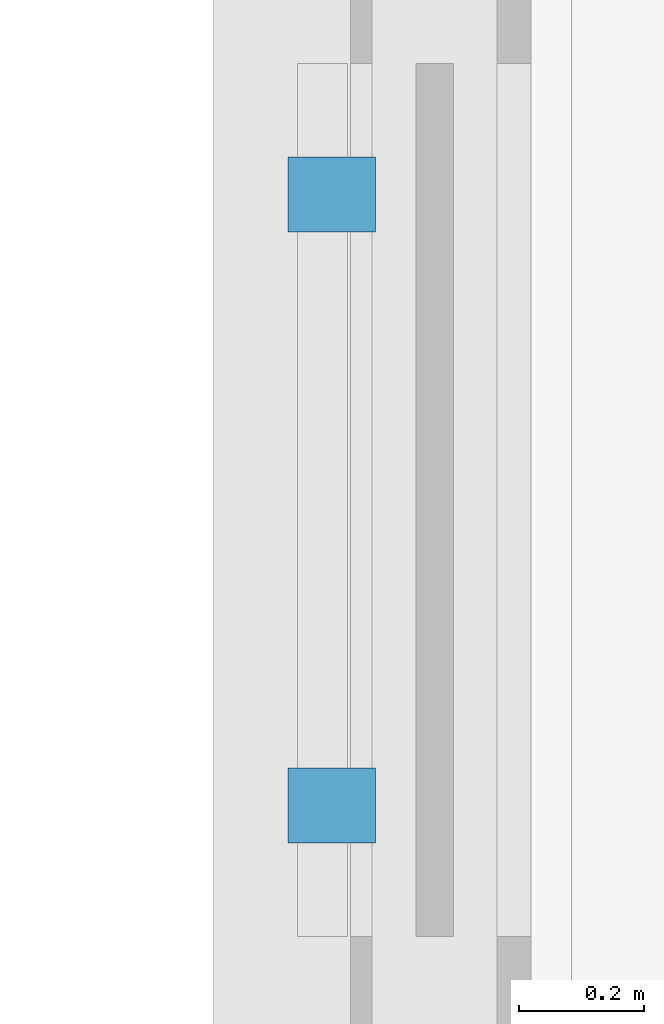
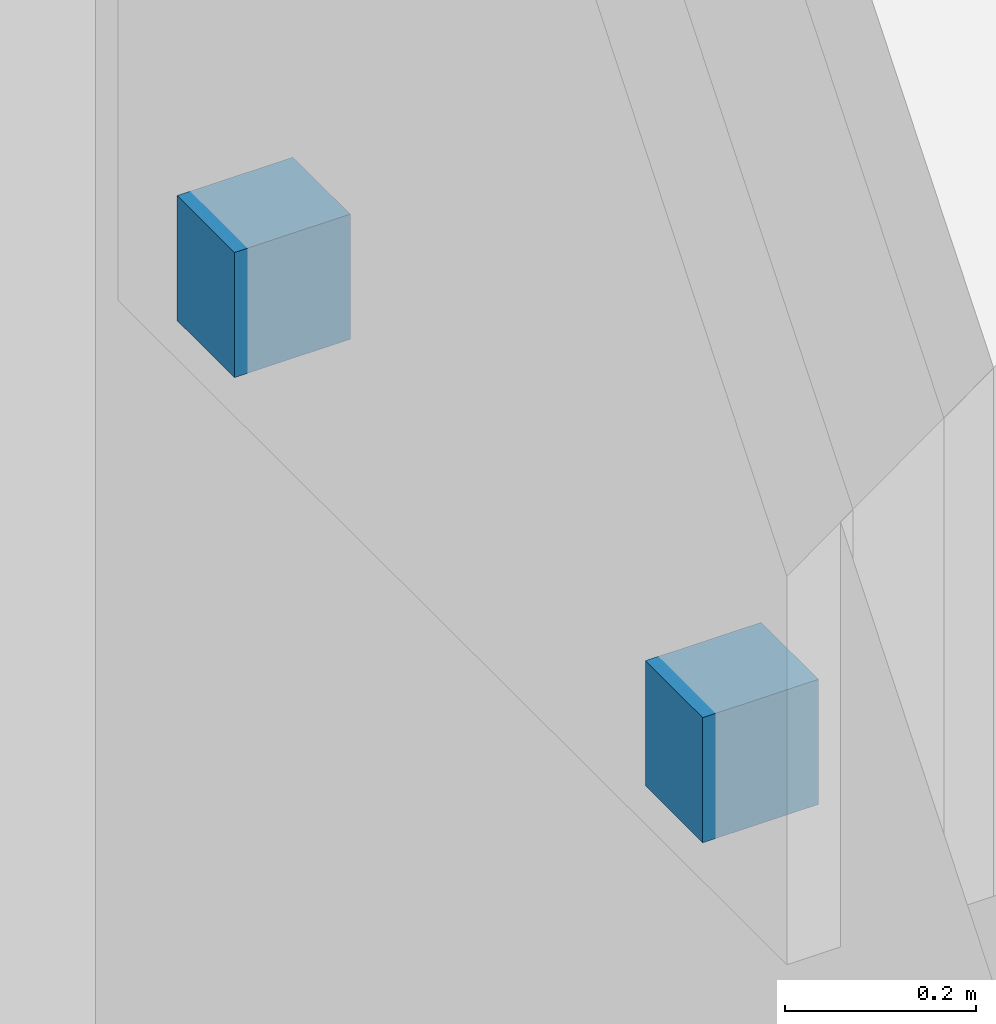
# One storey, part 98 of 115: 2 discrete accessories.
"""IFC4 building model written with IfcOpenShell, lengths in metres."""

from ifc_helpers import new_model, si_unit, direction, frame, origin, origin_2d, place, context, subcontext, project, spatial, rectangle, extrude, material, type_object, element, save


model = new_model("IFC4")

# Units and contexts
model_context = context("Model", 3, precision=1e-05, world=origin(), true_north=direction((0.0, 1.0)))
body_context = subcontext(model_context, "Body", "Model", "MODEL_VIEW")
ifc_project = project(units=[si_unit("LENGTHUNIT", "METRE"), si_unit("AREAUNIT", "SQUARE_METRE"), si_unit("VOLUMEUNIT", "CUBIC_METRE"), si_unit("PLANEANGLEUNIT", "RADIAN"), si_unit("MASSUNIT", "GRAM", prefix="KILO")], contexts=[model_context])

# Site, building, storey
site_placement = place(None, origin())
site = spatial("IfcSite", under=ifc_project, at=site_placement, CompositionType="ELEMENT")
building_placement = place(site_placement, origin())
building = spatial("IfcBuilding", under=site, at=building_placement, Name="Hawrajan Terrace Health Centre", CompositionType="ELEMENT")
storey_placement = place(building_placement, frame((0.0, 0.0, 9.0)))
storey = spatial("IfcBuildingStorey", under=building, at=storey_placement, Name="L02", CompositionType="ELEMENT", Elevation=9.0)

# Discrete accessories
ifc_material = material(Name="Steel S355", Category="steel")
discrete_accessory_type = type_object("IfcDiscreteAccessoryType", Name="FacadeBracket_S355", PredefinedType="BRACKET", material=ifc_material)
for number, where, z_axis, x_axis, name in (
    (1, (47.635009765625, 6.110107421875, 1.1201171875), (0.0, 0.0, 1.0), (0.0, 1.0, 0.0), "Roshan support bracket BRK-L02-176-1"),
    (2, (47.635009765625, 7.090087890625, 1.1201171875), (0.0, 0.0, 1.0), (0.0, 1.0, 0.0), "Roshan support bracket BRK-L02-176-2"),
):
    element("IfcDiscreteAccessory", number, at=place(storey_placement, frame(where, z_axis=z_axis, x_axis=x_axis)), inside=storey, type_object=discrete_accessory_type, Name=name, PredefinedType="BRACKET", context=body_context, shape_type="SweptSolid", body=[
        extrude(rectangle(XDim=0.1201171875, YDim=0.139892578125, at=origin_2d()), origin(), (0.0, 0.0, 1.0), 0.159912109375),
    ])

save(model, "model.ifc")
